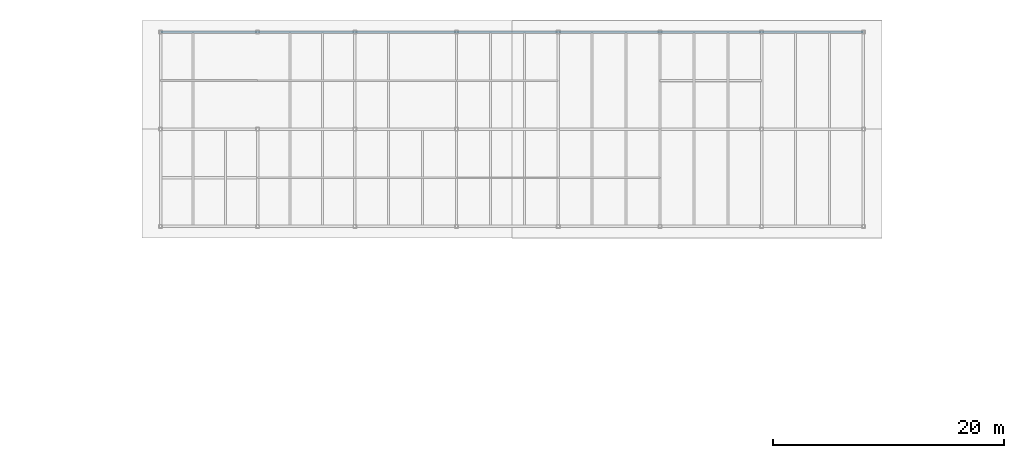
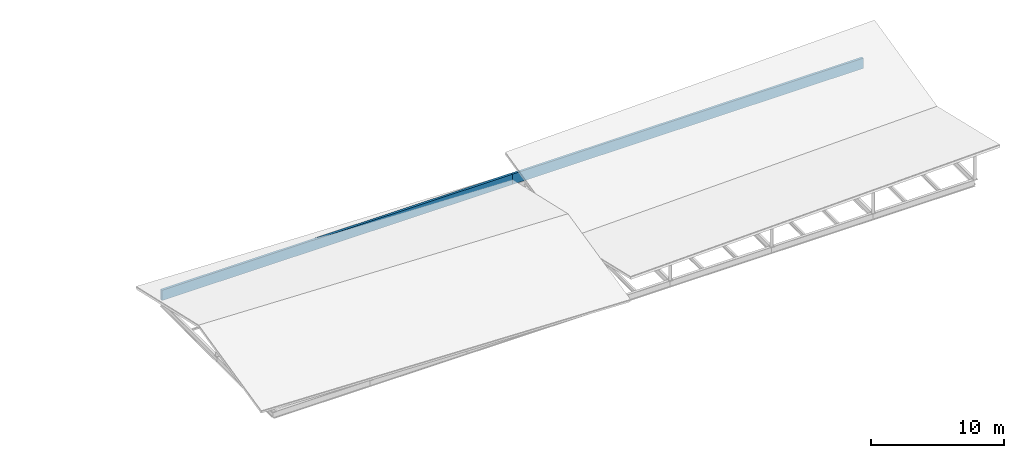
# One storey, part 64 of 65: 2 walls.
"""IFC4 building model written with IfcOpenShell, lengths in metres."""

from ifc_helpers import new_model, si_unit, direction, frame, frame_2d, origin, place, context, subcontext, project, spatial, rectangle, extrude, material, layer, layer_set, type_object, element, save


model = new_model("IFC4")

# Units and contexts
model_context = context("Model", 3, precision=1e-05, world=origin(), true_north=direction((0.0, 1.0)))
body_context = subcontext(model_context, "Body", "Model", "MODEL_VIEW")
ifc_project = project(units=[si_unit("LENGTHUNIT", "METRE"), si_unit("AREAUNIT", "SQUARE_METRE"), si_unit("VOLUMEUNIT", "CUBIC_METRE"), si_unit("PLANEANGLEUNIT", "RADIAN"), si_unit("MASSUNIT", "GRAM", prefix="KILO")], contexts=[model_context])

# Site, building, storey
site_placement = place(None, origin())
site = spatial("IfcSite", under=ifc_project, at=site_placement, CompositionType="ELEMENT")
building_placement = place(site_placement, origin())
building = spatial("IfcBuilding", under=site, at=building_placement, Name="Cinderway Yard Community Centre", CompositionType="ELEMENT")
storey_placement = place(building_placement, frame((0.0, 0.0, 24.300048828125)))
storey = spatial("IfcBuildingStorey", under=building, at=storey_placement, Name="RF", CompositionType="ELEMENT", Elevation=24.300048828125)

# Walls
ifc_material = material(Name="Concrete C35/45", Category="concrete")
ifc_layer = layer(ifc_material, 0.199951171875, Name="Concrete C35/45")
ifc_layer_set = layer_set([ifc_layer], Name="Concrete C35/45")
wall_type = type_object("IfcWallType", Name="ENV-WAL-PAR200", PredefinedType="PARAPET", material=ifc_layer_set)
wall_1_placement = place(storey_placement, frame((58.39990234375, 115.199951171875, 0.0), z_axis=(0.0, 0.0, 1.0), x_axis=(1.0, 0.0, 0.0)))
element("IfcWall", 1, at=wall_1_placement, inside=storey, type_object=wall_type, Name="Roof parapet upstand ENV-WAL-RF-0249", PredefinedType="PARAPET", context=body_context, shape_type="SweptSolid", body=[
    extrude(rectangle(XDim=30.400146484375, YDim=0.199951171875, at=frame_2d((15.2001953125, 0.0))), origin(), (0.0, 0.0, 1.0), 0.949951171875),
])
wall_2_placement = place(storey_placement, frame((88.800048828125, 115.199951171875, 0.0), z_axis=(0.0, 0.0, 1.0), x_axis=(1.0, 0.0, 0.0)))
element("IfcWall", 2, at=wall_2_placement, inside=storey, type_object=wall_type, Name="Roof parapet upstand ENV-WAL-RF-0250", PredefinedType="PARAPET", context=body_context, shape_type="SweptSolid", body=[
    extrude(rectangle(XDim=30.39990234375, YDim=0.199951171875, at=frame_2d((15.199951171875, 0.0))), origin(), (0.0, 0.0, 1.0), 0.949951171875),
])

save(model, "model.ifc")
